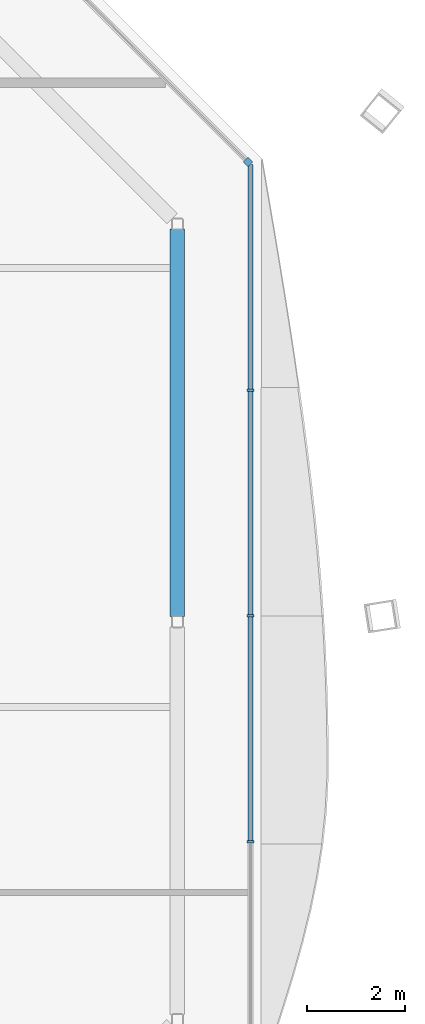
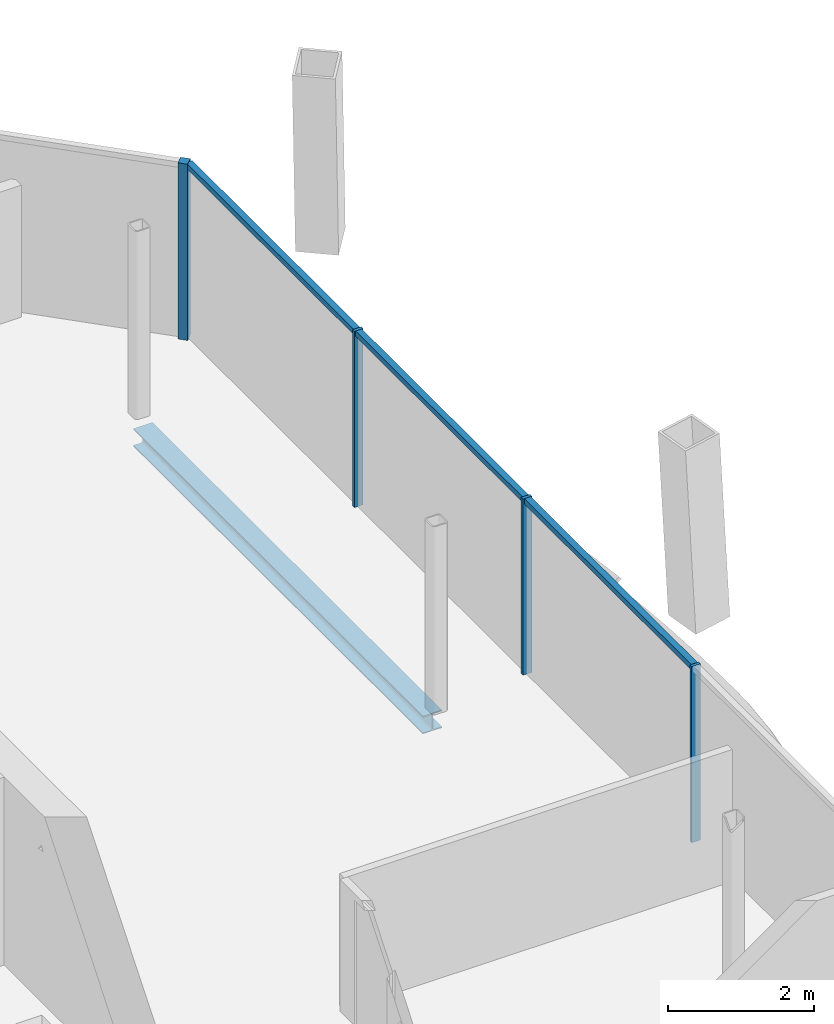
# One storey, part 7 of 13: 7 members, 1 beam, 2 elements without a shape of their own.
"""IFC4 building model written with IfcOpenShell, lengths in metres."""

from ifc_helpers import new_model, si_unit, direction, frame, origin, origin_2d, place, context, subcontext, project, spatial, rectangle, i_section, extrude, material, material_profile, profile_set, type_object, element, aggregate, save


model = new_model("IFC4")

# Units and contexts
model_context = context("Model", 3, precision=1e-05, world=origin(), true_north=direction((0.0, 1.0)))
body_context = subcontext(model_context, "Body", "Model", "MODEL_VIEW")
ifc_project = project(units=[si_unit("LENGTHUNIT", "METRE"), si_unit("AREAUNIT", "SQUARE_METRE"), si_unit("VOLUMEUNIT", "CUBIC_METRE"), si_unit("PLANEANGLEUNIT", "RADIAN"), si_unit("MASSUNIT", "GRAM", prefix="KILO")], contexts=[model_context])

# Site, building, storey
site_placement = place(None, origin())
site = spatial("IfcSite", under=ifc_project, at=site_placement, CompositionType="ELEMENT")
building_placement = place(site_placement, origin())
building = spatial("IfcBuilding", under=site, at=building_placement, Name="Tskaro Facet Tower", CompositionType="ELEMENT")
storey_placement = place(building_placement, frame((0.0, 0.0, 284.699951171875)))
storey = spatial("IfcBuildingStorey", under=building, at=storey_placement, Name="L76", CompositionType="ELEMENT", Elevation=284.699951171875)

# Curtain wall, member
ifc_material_1 = material(Name="Bronze anodised aluminium 6063-T6", Category="aluminium")
curtain_wall_type = type_object("IfcCurtainWallType", Name="Bronze residence curtain wall (FW3)", PredefinedType="NOTDEFINED", material=ifc_material_1)
curtain_wall_1_placement = place(storey_placement, origin())
curtain_wall_1 = element("IfcCurtainWall", 1, at=curtain_wall_1_placement, inside=storey, type_object=curtain_wall_type, Name="FW3 north-east facet L76", PredefinedType="NOTDEFINED")
ifc_material_profile_1 = material_profile(ifc_material_1, rectangle(XDim=0.139892578125, YDim=0.139892578125, at=origin_2d()), Name="Corner post 140x140")
ifc_profile_set_1 = profile_set([ifc_material_profile_1], Name="Bronze anodised aluminium 6063-T6")
member_type_1 = type_object("IfcMemberType", Name="FW3 bronze corner post 140x140", PredefinedType="MULLION", material=ifc_profile_set_1)
member_1_placement = place(storey_placement, frame((18.6484375, 6.675537109375, 0.0), z_axis=(0.0, 0.0, 1.0), x_axis=(-0.707106781187, 0.707106781187, 0.0)))
member_1 = element("IfcMember", 2, at=member_1_placement, type_object=member_type_1, Name="FW3 north-east corner post", PredefinedType="MULLION", context=body_context, shape_type="SweptSolid", body=[
    extrude(rectangle(XDim=0.139892578125, YDim=0.139892578125, at=origin_2d()), origin(), (0.0, 0.0, 1.0), 2.949951171875),
])
aggregate(curtain_wall_1, [member_1])

# Curtain wall, members
curtain_wall_2_placement = place(storey_placement, origin())
curtain_wall_2 = element("IfcCurtainWall", 3, at=curtain_wall_2_placement, inside=storey, type_object=curtain_wall_type, Name="FW3 east facet L76", PredefinedType="NOTDEFINED")
ifc_material_profile_2 = material_profile(ifc_material_1, rectangle(XDim=0.050048828125, YDim=0.139892578125, at=origin_2d()), Name="Mullion 50x140")
ifc_profile_set_2 = profile_set([ifc_material_profile_2], Name="Bronze anodised aluminium 6063-T6")
member_type_2 = type_object("IfcMemberType", Name="FW3 bronze mullion 50x140", PredefinedType="MULLION", material=ifc_profile_set_2)
member_2_placement = place(storey_placement, frame((18.697998046875, -7.2587890625, 0.0), z_axis=(0.0, 0.0, 1.0), x_axis=(0.0, 1.0, 0.0)))
member_2 = element("IfcMember", 4, at=member_2_placement, type_object=member_type_2, Name="FW3 east mullion 1", PredefinedType="MULLION", context=body_context, shape_type="SweptSolid", body=[
    extrude(rectangle(XDim=0.050048828125, YDim=0.139892578125, at=origin_2d()), origin(), (0.0, 0.0, 1.0), 2.949951171875),
])
member_3_placement = place(storey_placement, frame((18.697998046875, -2.630615234375, 0.0), z_axis=(0.0, 0.0, 1.0), x_axis=(0.0, 1.0, 0.0)))
member_3 = element("IfcMember", 5, at=member_3_placement, type_object=member_type_2, Name="FW3 east mullion 2", PredefinedType="MULLION", context=body_context, shape_type="SweptSolid", body=[
    extrude(rectangle(XDim=0.050048828125, YDim=0.139892578125, at=origin_2d()), origin(), (0.0, 0.0, 1.0), 2.949951171875),
])
member_4_placement = place(storey_placement, frame((18.697998046875, 1.997802734375, 0.0), z_axis=(0.0, 0.0, 1.0), x_axis=(0.0, 1.0, 0.0)))
member_4 = element("IfcMember", 6, at=member_4_placement, type_object=member_type_2, Name="FW3 east mullion 3", PredefinedType="MULLION", context=body_context, shape_type="SweptSolid", body=[
    extrude(rectangle(XDim=0.050048828125, YDim=0.139892578125, at=origin_2d()), origin(), (0.0, 0.0, 1.0), 2.949951171875),
])
ifc_material_profile_3 = material_profile(ifc_material_1, rectangle(XDim=0.10009765625, YDim=0.090087890625, at=origin_2d()), Name="Transom 100x90")
ifc_profile_set_3 = profile_set([ifc_material_profile_3], Name="Bronze anodised aluminium 6063-T6")
member_type_3 = type_object("IfcMemberType", Name="FW3 bronze transom 100x90", PredefinedType="USERDEFINED", material=ifc_profile_set_3)
member_5_placement = place(storey_placement, frame((18.697998046875, -7.233642578125, 2.905029296875), z_axis=(0.0, 1.0, 0.0), x_axis=(-1.0, 0.0, 0.0)))
member_5 = element("IfcMember", 7, at=member_5_placement, type_object=member_type_3, Name="FW3 east transom 2.1", ObjectType="TRANSOM", PredefinedType="USERDEFINED", context=body_context, shape_type="SweptSolid", body=[
    extrude(rectangle(XDim=0.10009765625, YDim=0.090087890625, at=origin_2d()), origin(), (0.0, 0.0, 1.0), 4.578125),
])
member_6_placement = place(storey_placement, frame((18.697998046875, -2.60546875, 2.905029296875), z_axis=(0.0, 1.0, 0.0), x_axis=(-1.0, 0.0, 0.0)))
member_6 = element("IfcMember", 8, at=member_6_placement, type_object=member_type_3, Name="FW3 east transom 3.1", ObjectType="TRANSOM", PredefinedType="USERDEFINED", context=body_context, shape_type="SweptSolid", body=[
    extrude(rectangle(XDim=0.10009765625, YDim=0.090087890625, at=origin_2d()), origin(), (0.0, 0.0, 1.0), 4.578125),
])
member_7_placement = place(storey_placement, frame((18.697998046875, 2.022705078125, 2.905029296875), z_axis=(0.0, 1.0, 0.0), x_axis=(-1.0, 0.0, 0.0)))
member_7 = element("IfcMember", 9, at=member_7_placement, type_object=member_type_3, Name="FW3 east transom 4.1", ObjectType="TRANSOM", PredefinedType="USERDEFINED", context=body_context, shape_type="SweptSolid", body=[
    extrude(rectangle(XDim=0.10009765625, YDim=0.090087890625, at=origin_2d()), origin(), (0.0, 0.0, 1.0), 4.603271484375),
])
aggregate(curtain_wall_2, [member_2, member_3, member_4, member_5, member_6, member_7])

# Beam
ifc_material_2 = material(Name="Steel S355J2", Category="steel")
ifc_material_profile_4 = material_profile(ifc_material_2, i_section(OverallWidth=0.300048828125, OverallDepth=0.300048828125, WebThickness=0.010986328125, FlangeThickness=0.01904296875, FilletRadius=0.027099609375, at=origin_2d()), Name="HE 300 B")
ifc_profile_set_4 = profile_set([ifc_material_profile_4], Name="Steel S355J2")
beam_type = type_object("IfcBeamType", Name="HE 300 B ring beam", PredefinedType="BEAM", material=ifc_profile_set_4)
beam_placement = place(storey_placement, frame((17.199951171875, -2.64501953125, -0.2900390625), z_axis=(0.0, 1.0, 0.0), x_axis=(-1.0, 0.0, 0.0)))
element("IfcBeam", 10, at=beam_placement, inside=storey, type_object=beam_type, Name="HE 300 B EB6-6", PredefinedType="BEAM", context=body_context, shape_type="SweptSolid", body=[
    extrude(i_section(OverallWidth=0.300048828125, OverallDepth=0.300048828125, WebThickness=0.010986328125, FlangeThickness=0.01904296875, FilletRadius=0.027099609375, at=origin_2d()), origin(), (0.0, 0.0, 1.0), 7.943115234375),
])

save(model, "model.ifc")
